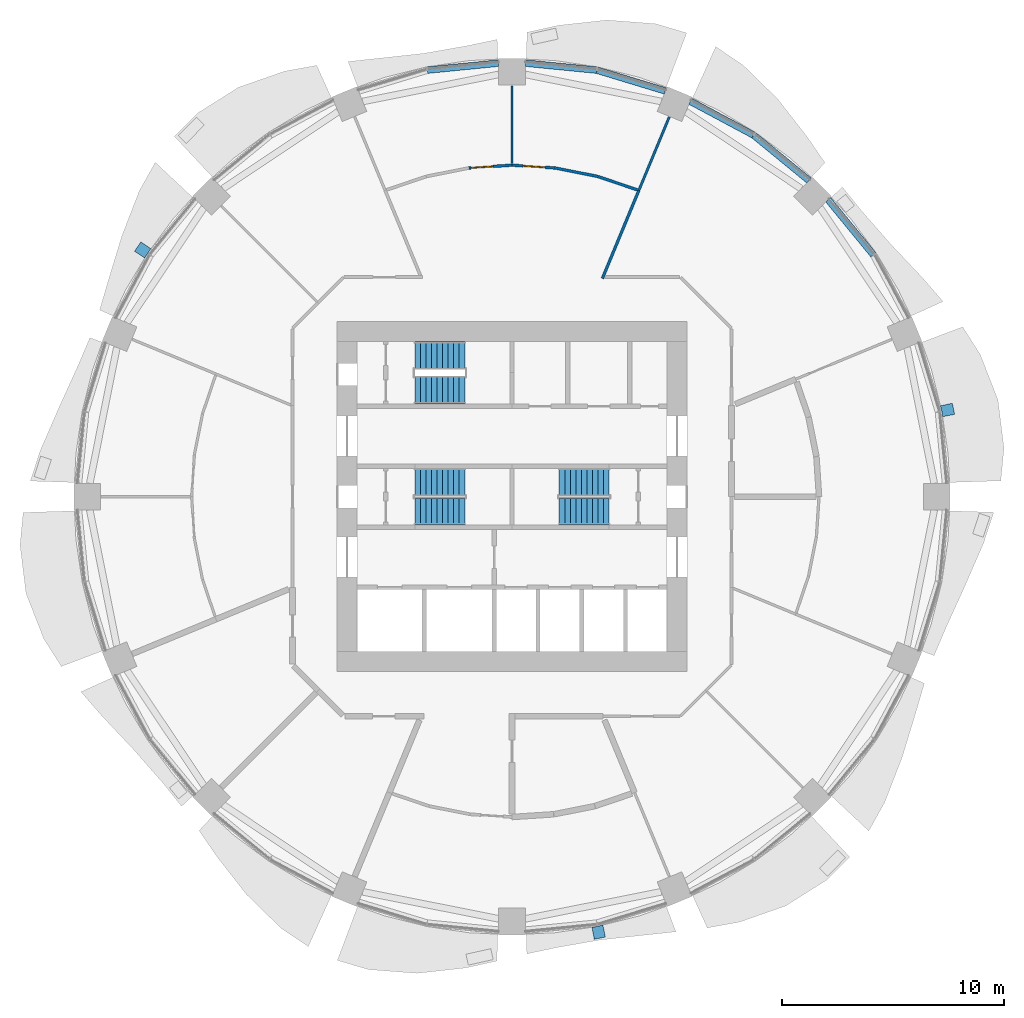
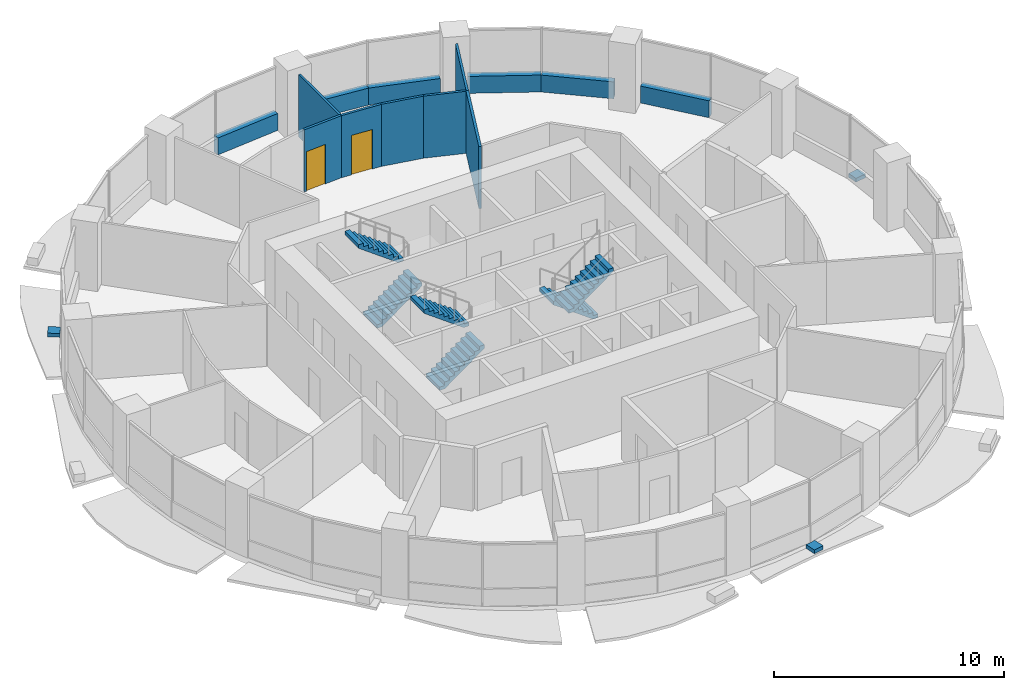
# One storey, part 11 of 15: 13 walls, 6 stair flights, 3 discrete accessories, 2 doors, 2 openings, 3 elements without a shape of their own.
"""IFC4 building model written with IfcOpenShell, lengths in metres."""

from ifc_helpers import new_model, si_unit, direction, frame, frame_2d, origin, place, context, subcontext, project, spatial, polyline, rectangle, outline, extrude, material, layer, layer_set, type_object, element, fill, aggregate, save


model = new_model("IFC4")

# Units and contexts
model_context = context("Model", 3, precision=1e-05, world=origin(), true_north=direction((0.0, 1.0)))
body_context = subcontext(model_context, "Body", "Model", "MODEL_VIEW")
ifc_project = project(units=[si_unit("LENGTHUNIT", "METRE"), si_unit("AREAUNIT", "SQUARE_METRE"), si_unit("VOLUMEUNIT", "CUBIC_METRE"), si_unit("PLANEANGLEUNIT", "RADIAN"), si_unit("MASSUNIT", "GRAM", prefix="KILO")], contexts=[model_context])

# Site, building, storey
site_placement = place(None, origin())
site = spatial("IfcSite", under=ifc_project, at=site_placement, CompositionType="ELEMENT")
building_placement = place(site_placement, origin())
building = spatial("IfcBuilding", under=site, at=building_placement, Name="Polderwave Tower", CompositionType="ELEMENT")
storey_placement = place(building_placement, frame((0.0, 0.0, 44.449951171875)))
storey = spatial("IfcBuildingStorey", under=building, at=storey_placement, Name="L11", CompositionType="ELEMENT", Elevation=44.449951171875)

# Walls
ifc_material_1 = material(Name="Concrete C50/60 (board-marked)", Category="concrete")
ifc_layer_1 = layer(ifc_material_1, 0.300048828125)
ifc_layer_set_1 = layer_set([ifc_layer_1], Name="Concrete spandrel upstand C50/60")
wall_type_1 = type_object("IfcWallType", Name="Concrete spandrel upstand C50/60", PredefinedType="SOLIDWALL", material=ifc_layer_set_1)
for number, where, z_axis, x_axis, name in (
    (1, (16.25341796875, 10.878662109375, 0.0), (0.0, 0.0, 1.0), (-0.634233658611, 0.773141427091, 0.0), "Spandrel L11 2b"),
    (2, (13.3544921875, 14.222412109375, 0.0), (0.0, 0.0, 1.0), (-0.773141427091, 0.634233658611, 0.0), "Spandrel L11 3a"),
):
    element("IfcWall", number, at=place(storey_placement, frame(where, z_axis=z_axis, x_axis=x_axis)), inside=storey, type_object=wall_type_1, Name=name, PredefinedType="SOLIDWALL", context=body_context, shape_type="SweptSolid", body=[
        extrude(rectangle(XDim=3.202392578125, YDim=0.300048828125, at=frame_2d((1.60107421875, 0.0))), origin(), (0.0, 0.0, 1.0), 0.900146484375),
    ])
wall_1_placement = place(storey_placement, frame((10.853759765625, 16.27001953125, 0.0), z_axis=(0.0, 0.0, 1.0), x_axis=(-0.881981372243, 0.471284265614, 0.0)))
element("IfcWall", 3, at=wall_1_placement, inside=storey, type_object=wall_type_1, Name="Spandrel L11 3b", PredefinedType="SOLIDWALL", context=body_context, shape_type="SweptSolid", body=[
    extrude(rectangle(XDim=3.20361328125, YDim=0.300048828125, at=frame_2d((1.601806640625, 0.0))), origin(), (0.0, 0.0, 1.0), 0.900146484375),
])
wall_2_placement = place(storey_placement, frame((6.89453125, 18.24951171875, 0.0), z_axis=(0.0, 0.0, 1.0), x_axis=(-0.956883225512, 0.290472877795, 0.0)))
element("IfcWall", 4, at=wall_2_placement, inside=storey, type_object=wall_type_1, Name="Spandrel L11 4a", PredefinedType="SOLIDWALL", context=body_context, shape_type="SweptSolid", body=[
    extrude(rectangle(XDim=3.202392578125, YDim=0.300048828125, at=frame_2d((1.60107421875, 0.0))), origin(), (0.0, 0.0, 1.0), 0.900146484375),
])
for number, where, z_axis, x_axis, name in (
    (5, (3.801025390625, 19.185546875, 0.0), (0.0, 0.0, 1.0), (-0.995186207606, 0.098002102993, 0.0), "Spandrel L11 4b"),
    (6, (-0.61279296875, 19.49951171875, 0.0), (0.0, 0.0, 1.0), (-0.995186207606, -0.098002102993, 0.0), "Spandrel L11 5a"),
):
    element("IfcWall", number, at=place(storey_placement, frame(where, z_axis=z_axis, x_axis=x_axis)), inside=storey, type_object=wall_type_1, Name=name, PredefinedType="SOLIDWALL", context=body_context, shape_type="SweptSolid", body=[
        extrude(rectangle(XDim=3.20361328125, YDim=0.300048828125, at=frame_2d((1.601806640625, 0.0))), origin(), (0.0, 0.0, 1.0), 0.900146484375),
    ])
ifc_material_2 = material(Name="Fire-resisting board on steel studs", Category="steel")
ifc_layer_2 = layer(ifc_material_2, 0.125)
ifc_layer_set_2 = layer_set([ifc_layer_2], Name="Corridor wall 125 mm EI 60")
wall_type_2 = type_object("IfcWallType", Name="Corridor wall 125 mm EI 60", PredefinedType="PARTITIONING", material=ifc_layer_set_2)
wall_3_placement = place(storey_placement, frame((4.06591796875, 9.81640625, 0.0), z_axis=(0.0, 0.0, 1.0), x_axis=(0.382709065586, 0.923868914467, 0.0)))
element("IfcWall", 7, at=wall_3_placement, inside=storey, type_object=wall_type_2, Name="IN-L11-W032", PredefinedType="PARTITIONING", context=body_context, shape_type="SweptSolid", body=[
    extrude(rectangle(XDim=4.284912109375, YDim=0.125, at=frame_2d((2.142578125, 0.0))), origin(), (0.0, 0.0, 1.0), 3.300048828125),
])

# Wall, opening, door
wall_4_placement = place(storey_placement, frame((0.0, 14.909912109375, 0.0), z_axis=(0.0, 0.0, 1.0), x_axis=(0.997861646388, -0.065361568741, 0.0)))
wall_4 = element("IfcWall", 8, at=wall_4_placement, inside=storey, type_object=wall_type_2, Name="IN-L11-W033", PredefinedType="PARTITIONING", context=body_context, shape_type="SweptSolid", body=[
    extrude(rectangle(XDim=1.946044921875, YDim=0.125, at=frame_2d((0.97314453125, 0.0))), origin(), (0.0, 0.0, 1.0), 3.300048828125),
])
opening_1_placement = place(wall_4_placement, frame((0.5, 0.0, 0.0)))
opening_1 = element("IfcOpeningElement", 9, at=opening_1_placement, cuts=wall_4, Name="Opening L11-D61", PredefinedType="OPENING", context=body_context, shape_type="SweptSolid", body=[
    extrude(rectangle(XDim=1.0, YDim=2.10009765625, at=frame_2d((0.5, 1.050048828125))), frame((0.0, 0.072509765625, 0.0), z_axis=(0.0, -1.0, 0.0), x_axis=(1.0, 0.0, 0.0)), (0.0, 0.0, 1.0), 0.14501953125),
])
ifc_material_3 = material(Name="Timber fire door leaf", Category="wood")
door_type = type_object("IfcDoorType", Name="Fire door FD30S 1000 x 2100", OperationType="NOTDEFINED", PredefinedType="DOOR", material=ifc_material_3)
door_1_placement = place(opening_1_placement, origin())
door_1 = element("IfcDoor", 10, at=door_1_placement, inside=storey, type_object=door_type, Name="Door L11-D61", OperationType="SINGLE_SWING_RIGHT", OverallHeight=2.10009765625, OverallWidth=1.0, PredefinedType="DOOR", context=body_context, shape_type="SweptSolid", body=[
    extrude(rectangle(XDim=1.0, YDim=2.10009765625, at=frame_2d((0.5, 1.050048828125))), frame((0.0, 0.02490234375, 0.0), z_axis=(0.0, -1.0, 0.0), x_axis=(1.0, 0.0, 0.0)), (0.0, 0.0, 1.0), 0.050048828125),
])
fill(opening_1, door_1)

# Walls
wall_5_placement = place(storey_placement, frame((3.85498046875, 14.40283203125, 0.0), z_axis=(0.0, 0.0, 1.0), x_axis=(-0.980807266515, 0.194979757801, 0.0)))
element("IfcWall", 11, at=wall_5_placement, inside=storey, type_object=wall_type_2, Name="IN-L11-W034", PredefinedType="PARTITIONING", context=body_context, shape_type="SweptSolid", body=[
    extrude(rectangle(XDim=1.942138671875, YDim=0.125, at=frame_2d((0.97119140625, 0.0))), origin(), (0.0, 0.0, 1.0), 3.300048828125),
])
wall_6_placement = place(storey_placement, frame((5.642578125, 13.79638671875, 0.0), z_axis=(0.0, 0.0, 1.0), x_axis=(-0.946915165682, 0.321483543904, 0.0)))
element("IfcWall", 12, at=wall_6_placement, inside=storey, type_object=wall_type_2, Name="IN-L11-W035", PredefinedType="PARTITIONING", context=body_context, shape_type="SweptSolid", body=[
    extrude(rectangle(XDim=1.879638671875, YDim=0.125, at=frame_2d((0.93994140625, 0.0))), origin(), (0.0, 0.0, 1.0), 3.300048828125),
])

# Wall, opening, door
wall_7_placement = place(storey_placement, frame((-1.94189453125, 14.78271484375, 0.0), z_axis=(0.0, 0.0, 1.0), x_axis=(0.997861646388, 0.065361568741, 0.0)))
wall_7 = element("IfcWall", 13, at=wall_7_placement, inside=storey, type_object=wall_type_2, Name="IN-L11-W039", PredefinedType="PARTITIONING", context=body_context, shape_type="SweptSolid", body=[
    extrude(rectangle(XDim=1.946044921875, YDim=0.125, at=frame_2d((0.97314453125, 0.0))), origin(), (0.0, 0.0, 1.0), 3.300048828125),
])
opening_2_placement = place(wall_7_placement, frame((0.10009765625, 0.0, 0.0)))
opening_2 = element("IfcOpeningElement", 14, at=opening_2_placement, cuts=wall_7, Name="Opening L11-D62", PredefinedType="OPENING", context=body_context, shape_type="SweptSolid", body=[
    extrude(rectangle(XDim=1.0, YDim=2.10009765625, at=frame_2d((0.5, 1.050048828125))), frame((0.0, 0.072509765625, 0.0), z_axis=(0.0, -1.0, 0.0), x_axis=(1.0, 0.0, 0.0)), (0.0, 0.0, 1.0), 0.14501953125),
])
door_2_placement = place(opening_2_placement, origin())
door_2 = element("IfcDoor", 15, at=door_2_placement, inside=storey, type_object=door_type, Name="Door L11-D62", OperationType="SINGLE_SWING_LEFT", OverallHeight=2.10009765625, OverallWidth=1.0, PredefinedType="DOOR", context=body_context, shape_type="SweptSolid", body=[
    extrude(rectangle(XDim=1.0, YDim=2.10009765625, at=frame_2d((0.5, 1.050048828125))), frame((0.0, 0.02490234375, 0.0), z_axis=(0.0, -1.0, 0.0), x_axis=(1.0, 0.0, 0.0)), (0.0, 0.0, 1.0), 0.050048828125),
])
fill(opening_2, door_2)

# Walls
ifc_material_4 = material(Name="Acoustic double plasterboard on steel studs", Category="steel")
ifc_layer_3 = layer(ifc_material_4, 0.110107421875)
ifc_layer_set_3 = layer_set([ifc_layer_3], Name="Partition 110 mm acoustic double board")
wall_type_3 = type_object("IfcWallType", Name="Partition 110 mm acoustic double board", PredefinedType="PARTITIONING", material=ifc_layer_set_3)
wall_8_placement = place(storey_placement, frame((5.705810546875, 13.775146484375, 0.0), z_axis=(0.0, 0.0, 1.0), x_axis=(0.382706138858, 0.923870126847, 0.0)))
element("IfcWall", 16, at=wall_8_placement, inside=storey, type_object=wall_type_3, Name="IN-L11-W031", PredefinedType="PARTITIONING", context=body_context, shape_type="SweptSolid", body=[
    extrude(rectangle(XDim=3.56982421875, YDim=0.110107421875, at=frame_2d((1.784912109375, 0.0))), origin(), (0.0, 0.0, 1.0), 3.300048828125),
])
wall_9_placement = place(storey_placement, frame((0.0, 14.976318359375, 0.0), z_axis=(0.0, 0.0, 1.0), x_axis=(0.0, 1.0, 0.0)))
element("IfcWall", 17, at=wall_9_placement, inside=storey, type_object=wall_type_3, Name="IN-L11-W036", PredefinedType="PARTITIONING", context=body_context, shape_type="SweptSolid", body=[
    extrude(rectangle(XDim=3.503662109375, YDim=0.110107421875, at=frame_2d((1.751953125, 0.0))), origin(), (0.0, 0.0, 1.0), 3.300048828125),
])

# Stair, stair flights
ifc_material_5 = material(Name="Concrete C40/50", Category="concrete")
stair_type = type_object("IfcStairType", Name="Exit stair 1200 x 20 risers", PredefinedType="HALF_TURN_STAIR", material=ifc_material_5)
stair_1_placement = place(storey_placement, origin())
stair_1 = element("IfcStair", 18, at=stair_1_placement, inside=storey, type_object=stair_type, Name="L11 Exit stair A", PredefinedType="HALF_TURN_STAIR")
stair_flight_type = type_object("IfcStairFlightType", Name="Stair flight 1200", PredefinedType="STRAIGHT", material=ifc_material_5)
stair_flight_1_placement = place(storey_placement, frame((-4.3740234375, -0.675048828125, 0.0), z_axis=(0.0, 0.0, 1.0), x_axis=(1.0, 0.0, 0.0)))
stair_flight_1 = element("IfcStairFlight", 19, at=stair_flight_1_placement, type_object=stair_flight_type, Name="ST-A flight 1", NumberOfRisers=10, NumberOfTreads=9, PredefinedType="STRAIGHT", RiserHeight=0.1825, TreadLength=0.25, context=body_context, shape_type="SweptSolid", body=[
    extrude(outline(polyline([(0.0, 0.0), (0.0, 0.1826171875), (0.25, 0.1826171875), (0.25, 0.364990234375), (0.5, 0.364990234375), (0.5, 0.547607421875), (0.75, 0.547607421875), (0.75, 0.72998046875), (1.0, 0.72998046875), (1.0, 0.91259765625), (1.25, 0.91259765625), (1.25, 1.094970703125), (1.5, 1.094970703125), (1.5, 1.277587890625), (1.75, 1.277587890625), (1.75, 1.4599609375), (2.0, 1.4599609375), (2.0, 1.642578125), (2.25, 1.642578125), (2.25, 1.824951171875), (2.25, 1.456787109375), (0.254150390625, 0.0), (0.0, 0.0)])), frame((0.0, 0.60009765625, 0.0), z_axis=(0.0, -1.0, 0.0), x_axis=(1.0, 0.0, 0.0)), (0.0, 0.0, 1.0), 1.199951171875),
])
stair_flight_2_placement = place(storey_placement, frame((-2.1240234375, 0.675048828125, 1.824951171875), z_axis=(0.0, 0.0, 1.0), x_axis=(-1.0, 0.0, 0.0)))
stair_flight_2 = element("IfcStairFlight", 20, at=stair_flight_2_placement, type_object=stair_flight_type, Name="ST-A flight 2", NumberOfRisers=10, NumberOfTreads=9, PredefinedType="STRAIGHT", RiserHeight=0.1825, TreadLength=0.25, context=body_context, shape_type="SweptSolid", body=[
    extrude(outline(polyline([(0.0, 0.0), (0.0, 0.1826171875), (0.25, 0.1826171875), (0.25, 0.364990234375), (0.5, 0.364990234375), (0.5, 0.547607421875), (0.75, 0.547607421875), (0.75, 0.72998046875), (1.0, 0.72998046875), (1.0, 0.91259765625), (1.25, 0.91259765625), (1.25, 1.094970703125), (1.5, 1.094970703125), (1.5, 1.277587890625), (1.75, 1.277587890625), (1.75, 1.4599609375), (2.0, 1.4599609375), (2.0, 1.642578125), (2.25, 1.642578125), (2.25, 1.824951171875), (2.25, 1.456787109375), (0.254150390625, 0.0), (0.0, 0.0)])), frame((0.0, 0.60009765625, 0.0), z_axis=(0.0, -1.0, 0.0), x_axis=(1.0, 0.0, 0.0)), (0.0, 0.0, 1.0), 1.199951171875),
])
aggregate(stair_1, [stair_flight_1, stair_flight_2])

stair_2_placement = place(storey_placement, origin())
stair_2 = element("IfcStair", 21, at=stair_2_placement, inside=storey, type_object=stair_type, Name="L11 Exit stair B", PredefinedType="HALF_TURN_STAIR")
stair_flight_3_placement = place(storey_placement, frame((4.3740234375, 0.675048828125, 0.0), z_axis=(0.0, 0.0, 1.0), x_axis=(-1.0, 0.0, 0.0)))
stair_flight_3 = element("IfcStairFlight", 22, at=stair_flight_3_placement, type_object=stair_flight_type, Name="ST-B flight 1", NumberOfRisers=10, NumberOfTreads=9, PredefinedType="STRAIGHT", RiserHeight=0.1825, TreadLength=0.25, context=body_context, shape_type="SweptSolid", body=[
    extrude(outline(polyline([(0.0, 0.0), (0.0, 0.1826171875), (0.25, 0.1826171875), (0.25, 0.364990234375), (0.5, 0.364990234375), (0.5, 0.547607421875), (0.75, 0.547607421875), (0.75, 0.72998046875), (1.0, 0.72998046875), (1.0, 0.91259765625), (1.25, 0.91259765625), (1.25, 1.094970703125), (1.5, 1.094970703125), (1.5, 1.277587890625), (1.75, 1.277587890625), (1.75, 1.4599609375), (2.0, 1.4599609375), (2.0, 1.642578125), (2.25, 1.642578125), (2.25, 1.824951171875), (2.25, 1.456787109375), (0.254150390625, 0.0), (0.0, 0.0)])), frame((0.0, 0.60009765625, 0.0), z_axis=(0.0, -1.0, 0.0), x_axis=(1.0, 0.0, 0.0)), (0.0, 0.0, 1.0), 1.199951171875),
])
stair_flight_4_placement = place(storey_placement, frame((2.1240234375, -0.675048828125, 1.824951171875), z_axis=(0.0, 0.0, 1.0), x_axis=(1.0, 0.0, 0.0)))
stair_flight_4 = element("IfcStairFlight", 23, at=stair_flight_4_placement, type_object=stair_flight_type, Name="ST-B flight 2", NumberOfRisers=10, NumberOfTreads=9, PredefinedType="STRAIGHT", RiserHeight=0.1825, TreadLength=0.25, context=body_context, shape_type="SweptSolid", body=[
    extrude(outline(polyline([(0.0, 0.0), (0.0, 0.1826171875), (0.25, 0.1826171875), (0.25, 0.364990234375), (0.5, 0.364990234375), (0.5, 0.547607421875), (0.75, 0.547607421875), (0.75, 0.72998046875), (1.0, 0.72998046875), (1.0, 0.91259765625), (1.25, 0.91259765625), (1.25, 1.094970703125), (1.5, 1.094970703125), (1.5, 1.277587890625), (1.75, 1.277587890625), (1.75, 1.4599609375), (2.0, 1.4599609375), (2.0, 1.642578125), (2.25, 1.642578125), (2.25, 1.824951171875), (2.25, 1.456787109375), (0.254150390625, 0.0), (0.0, 0.0)])), frame((0.0, 0.60009765625, 0.0), z_axis=(0.0, -1.0, 0.0), x_axis=(1.0, 0.0, 0.0)), (0.0, 0.0, 1.0), 1.199951171875),
])
aggregate(stair_2, [stair_flight_3, stair_flight_4])

stair_3_placement = place(storey_placement, origin())
stair_3 = element("IfcStair", 24, at=stair_3_placement, inside=storey, type_object=stair_type, Name="L11 Exit stair C", PredefinedType="HALF_TURN_STAIR")
stair_flight_5_placement = place(storey_placement, frame((-4.3740234375, 4.77392578125, 0.0), z_axis=(0.0, 0.0, 1.0), x_axis=(1.0, 0.0, 0.0)))
stair_flight_5 = element("IfcStairFlight", 25, at=stair_flight_5_placement, type_object=stair_flight_type, Name="ST-C flight 1", NumberOfRisers=10, NumberOfTreads=9, PredefinedType="STRAIGHT", RiserHeight=0.1825, TreadLength=0.25, context=body_context, shape_type="SweptSolid", body=[
    extrude(outline(polyline([(0.0, 0.0), (0.0, 0.1826171875), (0.25, 0.1826171875), (0.25, 0.364990234375), (0.5, 0.364990234375), (0.5, 0.547607421875), (0.75, 0.547607421875), (0.75, 0.72998046875), (1.0, 0.72998046875), (1.0, 0.91259765625), (1.25, 0.91259765625), (1.25, 1.094970703125), (1.5, 1.094970703125), (1.5, 1.277587890625), (1.75, 1.277587890625), (1.75, 1.4599609375), (2.0, 1.4599609375), (2.0, 1.642578125), (2.25, 1.642578125), (2.25, 1.824951171875), (2.25, 1.456787109375), (0.254150390625, 0.0), (0.0, 0.0)])), frame((0.0, 0.60009765625, 0.0), z_axis=(0.0, -1.0, 0.0), x_axis=(1.0, 0.0, 0.0)), (0.0, 0.0, 1.0), 1.199951171875),
])
stair_flight_6_placement = place(storey_placement, frame((-2.1240234375, 6.3740234375, 1.824951171875), z_axis=(0.0, 0.0, 1.0), x_axis=(-1.0, 0.0, 0.0)))
stair_flight_6 = element("IfcStairFlight", 26, at=stair_flight_6_placement, type_object=stair_flight_type, Name="ST-C flight 2", NumberOfRisers=10, NumberOfTreads=9, PredefinedType="STRAIGHT", RiserHeight=0.1825, TreadLength=0.25, context=body_context, shape_type="SweptSolid", body=[
    extrude(outline(polyline([(0.0, 0.0), (0.0, 0.1826171875), (0.25, 0.1826171875), (0.25, 0.364990234375), (0.5, 0.364990234375), (0.5, 0.547607421875), (0.75, 0.547607421875), (0.75, 0.72998046875), (1.0, 0.72998046875), (1.0, 0.91259765625), (1.25, 0.91259765625), (1.25, 1.094970703125), (1.5, 1.094970703125), (1.5, 1.277587890625), (1.75, 1.277587890625), (1.75, 1.4599609375), (2.0, 1.4599609375), (2.0, 1.642578125), (2.25, 1.642578125), (2.25, 1.824951171875), (2.25, 1.456787109375), (0.254150390625, 0.0), (0.0, 0.0)])), frame((0.0, 0.60009765625, 0.0), z_axis=(0.0, -1.0, 0.0), x_axis=(1.0, 0.0, 0.0)), (0.0, 0.0, 1.0), 1.199951171875),
])
aggregate(stair_3, [stair_flight_5, stair_flight_6])

# Discrete accessories
ifc_material_6 = material(Name="Steel S355", Category="steel")
discrete_accessory_type = type_object("IfcDiscreteAccessoryType", Name="Band bracket pad", PredefinedType="BRACKET", material=ifc_material_6)
discrete_accessory_1_placement = place(storey_placement, frame((0.0, 0.0, -0.199951171875)))
element("IfcDiscreteAccessory", 27, at=discrete_accessory_1_placement, inside=storey, type_object=discrete_accessory_type, Name="Band bracket L11 1", PredefinedType="BRACKET", context=body_context, shape_type="SweptSolid", body=[
    extrude(outline(polyline([(19.367919921875, 3.597900390625), (19.331298828125, 3.84521484375), (19.2705078125, 4.087646484375), (19.80859375, 4.201904296875), (19.90869140625, 3.698486328125), (19.367919921875, 3.597900390625)])), origin(), (0.0, 0.0, 1.0), 0.199951171875),
])
discrete_accessory_2_placement = place(storey_placement, frame((0.0, 0.0, -0.199951171875)))
element("IfcDiscreteAccessory", 28, at=discrete_accessory_2_placement, inside=storey, type_object=discrete_accessory_type, Name="Band bracket L11 7", PredefinedType="BRACKET", context=body_context, shape_type="SweptSolid", body=[
    extrude(outline(polyline([(-16.2392578125, 11.151123046875), (-16.38818359375, 10.9501953125), (-16.516845703125, 10.73583984375), (-16.977783203125, 11.03564453125), (-16.692626953125, 11.46240234375), (-16.2392578125, 11.151123046875)])), origin(), (0.0, 0.0, 1.0), 0.199951171875),
])
discrete_accessory_3_placement = place(storey_placement, frame((0.0, 0.0, -0.199951171875)))
element("IfcDiscreteAccessory", 29, at=discrete_accessory_3_placement, inside=storey, type_object=discrete_accessory_type, Name="Band bracket L11 13", PredefinedType="BRACKET", context=body_context, shape_type="SweptSolid", body=[
    extrude(outline(polyline([(3.597900390625, -19.367919921875), (3.84521484375, -19.331298828125), (4.087646484375, -19.2705078125), (4.201904296875, -19.80859375), (3.698486328125, -19.90869140625), (3.597900390625, -19.367919921875)])), origin(), (0.0, 0.0, 1.0), 0.199951171875),
])

save(model, "model.ifc")
